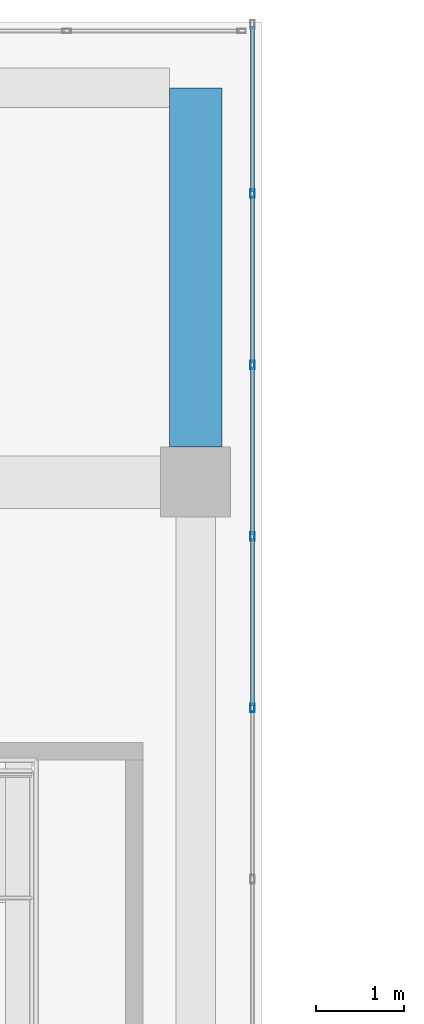
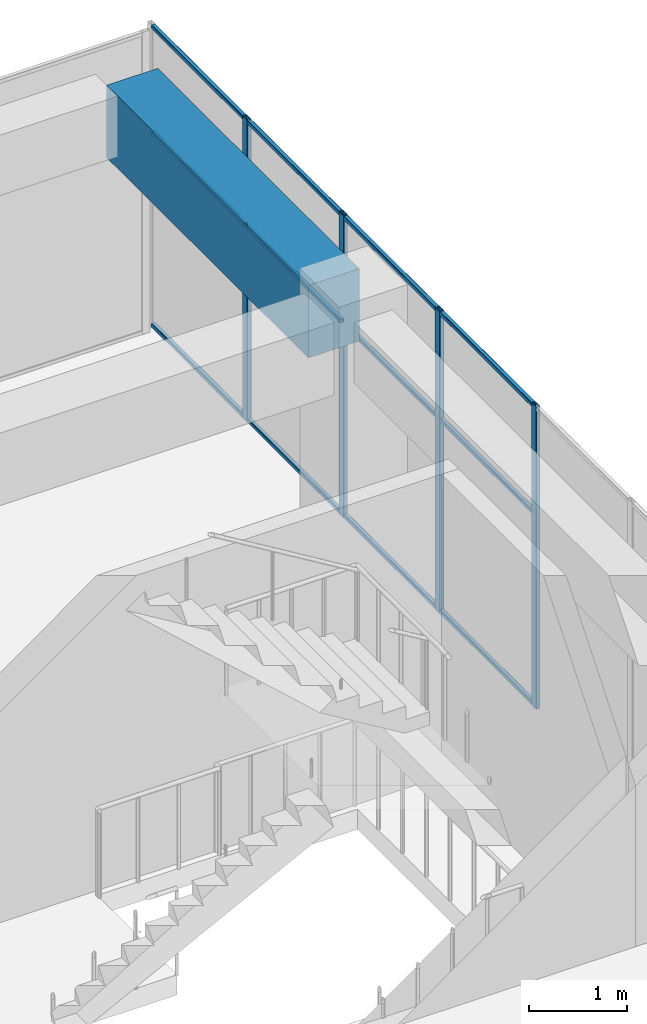
# One storey, part 35 of 55: 16 members, 1 beam, 1 element without a shape of its own.
"""IFC4 building model written with IfcOpenShell, lengths in metres."""

import ifcopenshell
import ifcopenshell.guid

model = None  # the IFC model being written
_history = None  # IfcOwnerHistory: only IFC2X3 demands one
_inside = {}  # id of a spatial element -> (the spatial element, [elements in it])
_under = {}  # id of a project, library or spatial element -> (it, [spatial elements below it])
_declared = {}  # id of a project -> (the project, [libraries it declares])
_typed = {}  # id of a type object -> (the type object, [elements of that type])
_made_of = {}  # id of a material, layer set ... -> (it, [elements and type objects made of it])


def new_model(schema):
    """Start an empty IFC model of exactly this schema.

    Asked for "IFC4X3", IfcOpenShell would pick the latest addendum, in which some entities
    have other attributes; the version numbers below select the first issue.
    IFC2X3 requires an IfcOwnerHistory on every rooted entity: one is made here for all.
    """
    global model, _history
    if schema == "IFC4X3":
        model = ifcopenshell.file(schema_version=(4, 3, 0, 0))
    else:
        model = ifcopenshell.file(schema=schema)
    _inside.clear()
    _under.clear()
    _declared.clear()
    _typed.clear()
    _made_of.clear()
    _history = None
    if model.schema == "IFC2X3":
        org = make("IfcOrganization", Name="unknown")
        user = make(
            "IfcPersonAndOrganization",
            ThePerson=make("IfcPerson", FamilyName="unknown"),
            TheOrganization=org,
        )
        app = make(
            "IfcApplication",
            ApplicationDeveloper=org,
            Version="unknown",
            ApplicationFullName="unknown",
            ApplicationIdentifier="unknown",
        )
        _history = make(
            "IfcOwnerHistory",
            OwningUser=user,
            OwningApplication=app,
            ChangeAction="ADDED",
            CreationDate=0,
        )
    return model


def make(cls, **values):
    """One entity of the class cls with the attributes given. An attribute that is None is left unset."""
    return model.create_entity(
        cls, **{name: value for name, value in values.items() if value is not None}
    )


def rooted(cls, **values):
    """An entity with a GlobalId (a new one), such as an element, a storey or a relation."""
    return make(cls, GlobalId=ifcopenshell.guid.new(), OwnerHistory=_history, **values)


def si_unit(unit_type, name, prefix=None):
    """IfcSIUnit, for example si_unit("LENGTHUNIT", "METRE", prefix="MILLI")."""
    return make("IfcSIUnit", UnitType=unit_type, Prefix=prefix, Name=name)


def assignment(units):
    """IfcUnitAssignment: the units of a project."""
    return None if units is None else make("IfcUnitAssignment", Units=units)


def point(xyz):
    """IfcCartesianPoint."""
    return None if xyz is None else make("IfcCartesianPoint", Coordinates=xyz)


def direction(xyz):
    """IfcDirection."""
    return None if xyz is None else make("IfcDirection", DirectionRatios=xyz)


def frame(location, z_axis=None, x_axis=None):
    """IfcAxis2Placement3D, a coordinate frame: its origin and axes. An axis left out is left unset."""
    return make(
        "IfcAxis2Placement3D",
        Location=point(location),
        Axis=direction(z_axis),
        RefDirection=direction(x_axis),
    )


def frame_2d(location, x_axis=None):
    """IfcAxis2Placement2D, a coordinate frame in the plane: its origin and x axis."""
    return make(
        "IfcAxis2Placement2D", Location=point(location), RefDirection=direction(x_axis)
    )


def origin():
    """The frame at (0, 0, 0) with its axes left unset."""
    return frame((0.0, 0.0, 0.0))


def origin_2d():
    """The frame at (0, 0) in the plane with its x axis left unset."""
    return frame_2d((0.0, 0.0))


def place(relative_to, where):
    """IfcLocalPlacement: puts the frame where relative to a parent placement (None: the world)."""
    return make(
        "IfcLocalPlacement", PlacementRelTo=relative_to, RelativePlacement=where
    )


def context(
    kind, dimensions, precision=None, world=None, true_north=None, identifier=None
):
    """IfcGeometricRepresentationContext, for example the 3D "Model" context."""
    return make(
        "IfcGeometricRepresentationContext",
        ContextIdentifier=identifier,
        ContextType=kind,
        CoordinateSpaceDimension=dimensions,
        Precision=precision,
        WorldCoordinateSystem=world,
        TrueNorth=true_north,
    )


def subcontext(parent, identifier, kind, view, scale=None):
    """IfcGeometricRepresentationSubContext, for example "Body" below "Model"."""
    return make(
        "IfcGeometricRepresentationSubContext",
        ContextIdentifier=identifier,
        ContextType=kind,
        ParentContext=parent,
        TargetScale=scale,
        TargetView=view,
    )


def project(units=None, contexts=None):
    """IfcProject with its units and contexts."""
    return rooted(
        "IfcProject",
        Name="project",
        RepresentationContexts=contexts,
        UnitsInContext=assignment(units),
    )


def spatial(cls, under=None, at=None, **own):
    """A site, building, storey or space (cls), placed at a placement, below another one or the project."""
    s = rooted(cls, ObjectPlacement=at, **own)
    if under is not None:
        _under.setdefault(under.id(), (under, []))[1].append(s)
    return s


def profile(cls, at=None, kind="AREA", **sizes):
    """A parametric profile (cls). Its sizes go by their IFC names, for example OverallWidth=200.0."""
    return make(cls, ProfileType=kind, Position=at, **sizes)


def rectangle(**sizes):
    """IfcRectangleProfileDef."""
    return profile("IfcRectangleProfileDef", **sizes)


def hollow_rectangle(**sizes):
    """IfcRectangleHollowProfileDef."""
    return profile("IfcRectangleHollowProfileDef", **sizes)


def extrude(swept, where, along, depth):
    """IfcExtrudedAreaSolid: the profile swept, set in the frame where, extruded along a direction by depth."""
    return make(
        "IfcExtrudedAreaSolid",
        SweptArea=swept,
        Position=where,
        ExtrudedDirection=direction(along),
        Depth=depth,
    )


def shape(context_of_items, identifier, shape_type, items):
    """IfcShapeRepresentation: the items that make up one representation, for example the "Body"."""
    return make(
        "IfcShapeRepresentation",
        ContextOfItems=context_of_items,
        RepresentationIdentifier=identifier,
        RepresentationType=shape_type,
        Items=items,
    )


def material(Name=None, Category=None):
    """IfcMaterial."""
    return make("IfcMaterial", Name=Name, Category=Category)


def layer(
    of_material, thickness, ventilated=None, Name=None, Category=None, Priority=None
):
    """IfcMaterialLayer: one layer of a wall or slab, of a material (None: an air gap)."""
    return make(
        "IfcMaterialLayer",
        Material=of_material,
        LayerThickness=thickness,
        IsVentilated=ventilated,
        Name=Name,
        Category=Category,
        Priority=Priority,
    )


def layer_set(layers, Name=None):
    """IfcMaterialLayerSet."""
    return make("IfcMaterialLayerSet", MaterialLayers=layers, LayerSetName=Name)


def material_profile(
    of_material, cross_section, Name=None, Category=None, Priority=None
):
    """IfcMaterialProfile: a cross section and its material."""
    return make(
        "IfcMaterialProfile",
        Name=Name,
        Material=of_material,
        Profile=cross_section,
        Priority=Priority,
        Category=Category,
    )


def profile_set(profiles, Name=None, composite=None):
    """IfcMaterialProfileSet."""
    return make(
        "IfcMaterialProfileSet",
        Name=Name,
        MaterialProfiles=profiles,
        CompositeProfile=composite,
    )


def made_of(thing, what):
    """Note that an element or type object is made of a material, layer set ...; save() writes the relation."""
    if what is not None:
        _made_of.setdefault(what.id(), (what, []))[1].append(thing)
    return thing


def type_object(cls, material=None, **own):
    """A type object (cls), such as IfcWallType, which elements share."""
    return made_of(rooted(cls, **own), material)


def element(
    cls,
    number,
    at=None,
    inside=None,
    cuts=None,
    type_object=None,
    material=None,
    context=None,
    identifier="Body",
    shape_type=None,
    held_by="IfcProductDefinitionShape",
    body=None,
    shapes=None,
    **own,
):
    """One element of the class cls, such as IfcWall. Its Tag is "e" and its number.

    at: its placement. inside: the storey or other place that contains it. cuts: it is an
    opening in that element (IfcRelVoidsElement). A single representation is given by context,
    identifier, shape_type and body (its items); several are given by shapes. held_by: the class
    of the entity that holds the representations. save() writes the other relations.
    """
    e = rooted(cls, Tag="e%d" % number, ObjectPlacement=at, **own)
    if body is not None:
        shapes = [shape(context, identifier, shape_type, body)]
    if shapes is not None:
        e.Representation = make(held_by, Representations=shapes)
    if inside is not None:
        _inside.setdefault(inside.id(), (inside, []))[1].append(e)
    if cuts is not None:
        rooted(
            "IfcRelVoidsElement", RelatingBuildingElement=cuts, RelatedOpeningElement=e
        )
    if type_object is not None:
        _typed.setdefault(type_object.id(), (type_object, []))[1].append(e)
    return made_of(e, material)


def aggregate(whole, parts):
    """IfcRelAggregates: a whole, such as a stair, and the parts it consists of."""
    return rooted("IfcRelAggregates", RelatingObject=whole, RelatedObjects=parts)


def save(model, path):
    """Write the relations noted so far, then the file.

    IfcRelAggregates (storeys below a building ...), IfcRelContainedInSpatialStructure (elements
    in a storey), IfcRelDefinesByType, IfcRelAssociatesMaterial and IfcRelDeclares: one each for
    every whole, place, type object, material and project.
    """
    for whole, parts in _under.values():
        aggregate(whole, parts)
    for where, things in _inside.values():
        rooted(
            "IfcRelContainedInSpatialStructure",
            RelatedElements=things,
            RelatingStructure=where,
        )
    for kind, things in _typed.values():
        rooted("IfcRelDefinesByType", RelatedObjects=things, RelatingType=kind)
    for what, things in _made_of.values():
        rooted("IfcRelAssociatesMaterial", RelatedObjects=things, RelatingMaterial=what)
    for by, libraries in _declared.values():
        rooted("IfcRelDeclares", RelatingContext=by, RelatedDefinitions=libraries)
    model.write(path)


model = new_model("IFC4")

# Units and contexts
model_context = context("Model", 3, precision=1e-05, world=origin(), true_north=direction((0.0, 1.0)))
body_context = subcontext(model_context, "Body", "Model", "MODEL_VIEW")
ifc_project = project(units=[si_unit("LENGTHUNIT", "METRE"), si_unit("AREAUNIT", "SQUARE_METRE"), si_unit("VOLUMEUNIT", "CUBIC_METRE"), si_unit("PLANEANGLEUNIT", "RADIAN"), si_unit("MASSUNIT", "GRAM", prefix="KILO")], contexts=[model_context])

# Site, building, storey
site_placement = place(None, origin())
site = spatial("IfcSite", under=ifc_project, at=site_placement, CompositionType="ELEMENT")
building_placement = place(site_placement, origin())
building = spatial("IfcBuilding", under=site, at=building_placement, Name="Tuart Plaza Theatre", CompositionType="ELEMENT")
storey_placement = place(building_placement, frame((0.0, 0.0, 21.5)))
storey = spatial("IfcBuildingStorey", under=building, at=storey_placement, Name="L05", CompositionType="ELEMENT", Elevation=21.5)

# Beam
ifc_material_1 = material(Name="Concrete N40 (40 MPa)", Category="concrete")
ifc_material_profile_1 = material_profile(ifc_material_1, rectangle(XDim=0.60009765625, YDim=0.89990234375, at=origin_2d()), Name="BEAM 600x900 Concrete N40 (40 MPa)")
ifc_profile_set_1 = profile_set([ifc_material_profile_1], Name="Concrete N40 (40 MPa)")
beam_type = type_object("IfcBeamType", Name="BEAM 600x900 Concrete N40 (40 MPa)", PredefinedType="BEAM", material=ifc_profile_set_1)
beam_placement = place(storey_placement, frame((141.0, 92.39990234375, 3.300048828125), z_axis=(0.0, 1.0, 0.0), x_axis=(-1.0, 0.0, 0.0)))
element("IfcBeam", 1, at=beam_placement, inside=storey, type_object=beam_type, Name="RB233", PredefinedType="BEAM", context=body_context, shape_type="SweptSolid", body=[
    extrude(rectangle(XDim=0.60009765625, YDim=0.89990234375, at=origin_2d()), origin(), (0.0, 0.0, 1.0), 4.10009765625),
])

# Curtain wall, members
ifc_material_2 = material(Name="Aluminium and glass", Category="aluminium")
ifc_layer = layer(ifc_material_2, 0.10009765625)
ifc_layer_set = layer_set([ifc_layer], Name="CURTAIN WALL 2000 module")
curtain_wall_type = type_object("IfcCurtainWallType", Name="CURTAIN WALL 2000 module", PredefinedType="NOTDEFINED", material=ifc_layer_set)
curtain_wall_placement = place(storey_placement, origin())
curtain_wall = element("IfcCurtainWall", 2, at=curtain_wall_placement, inside=storey, type_object=curtain_wall_type, Name="CW81", PredefinedType="NOTDEFINED")
ifc_material_3 = material(Name="Aluminium 6063-T5", Category="aluminium")
ifc_material_profile_2 = material_profile(ifc_material_3, hollow_rectangle(XDim=0.050048828125, YDim=0.10009765625, WallThickness=0.00390625, InnerFilletRadius=0.00390625, OuterFilletRadius=0.008056640625, at=origin_2d()), Name="RHS 100x50x4")
ifc_profile_set_2 = profile_set([ifc_material_profile_2], Name="Aluminium 6063-T5")
member_type_1 = type_object("IfcMemberType", Name="MULLION RHS 100x50x4", PredefinedType="MULLION", material=ifc_profile_set_2)
member_1_placement = place(storey_placement, frame((141.64990234375, 89.42138671875, 0.0), z_axis=(0.0, 0.0, 1.0), x_axis=(-1.0, 0.0, 0.0)))
member_1 = element("IfcMember", 3, at=member_1_placement, type_object=member_type_1, Name="CW81 mullion 4", PredefinedType="MULLION", context=body_context, shape_type="SweptSolid", body=[
    extrude(hollow_rectangle(XDim=0.050048828125, YDim=0.10009765625, WallThickness=0.00390625, InnerFilletRadius=0.00390625, OuterFilletRadius=0.008056640625, at=origin_2d()), origin(), (0.0, 0.0, 1.0), 3.75),
])
member_2_placement = place(storey_placement, frame((141.64990234375, 91.378662109375, 0.0), z_axis=(0.0, 0.0, 1.0), x_axis=(-1.0, 0.0, 0.0)))
member_2 = element("IfcMember", 4, at=member_2_placement, type_object=member_type_1, Name="CW81 mullion 5", PredefinedType="MULLION", context=body_context, shape_type="SweptSolid", body=[
    extrude(hollow_rectangle(XDim=0.050048828125, YDim=0.10009765625, WallThickness=0.00390625, InnerFilletRadius=0.00390625, OuterFilletRadius=0.008056640625, at=origin_2d()), origin(), (0.0, 0.0, 1.0), 3.75),
])
member_3_placement = place(storey_placement, frame((141.64990234375, 93.335693359375, 0.0), z_axis=(0.0, 0.0, 1.0), x_axis=(-1.0, 0.0, 0.0)))
member_3 = element("IfcMember", 5, at=member_3_placement, type_object=member_type_1, Name="CW81 mullion 6", PredefinedType="MULLION", context=body_context, shape_type="SweptSolid", body=[
    extrude(hollow_rectangle(XDim=0.050048828125, YDim=0.10009765625, WallThickness=0.00390625, InnerFilletRadius=0.00390625, OuterFilletRadius=0.008056640625, at=origin_2d()), origin(), (0.0, 0.0, 1.0), 3.75),
])
member_4_placement = place(storey_placement, frame((141.64990234375, 95.29296875, 0.0), z_axis=(0.0, 0.0, 1.0), x_axis=(-1.0, 0.0, 0.0)))
member_4 = element("IfcMember", 6, at=member_4_placement, type_object=member_type_1, Name="CW81 mullion 7", PredefinedType="MULLION", context=body_context, shape_type="SweptSolid", body=[
    extrude(hollow_rectangle(XDim=0.050048828125, YDim=0.10009765625, WallThickness=0.00390625, InnerFilletRadius=0.00390625, OuterFilletRadius=0.008056640625, at=origin_2d()), origin(), (0.0, 0.0, 1.0), 3.75),
])
ifc_material_4 = material(Name="Aluminium 6063-T5", Category="aluminium")
ifc_material_profile_3 = material_profile(ifc_material_4, hollow_rectangle(XDim=0.050048828125, YDim=0.050048828125, WallThickness=0.00390625, InnerFilletRadius=0.00390625, OuterFilletRadius=0.008056640625, at=origin_2d()), Name="RHS 50x50x4")
ifc_profile_set_3 = profile_set([ifc_material_profile_3], Name="Aluminium 6063-T5")
member_type_2 = type_object("IfcMemberType", Name="TRANSOM RHS 50x50x4", PredefinedType="USERDEFINED", material=ifc_profile_set_3)
member_5_placement = place(storey_placement, frame((141.64990234375, 89.446533203125, 0.02490234375), z_axis=(0.0, 1.0, 0.0), x_axis=(-1.0, 0.0, 0.0)))
member_5 = element("IfcMember", 7, at=member_5_placement, type_object=member_type_2, Name="CW81 transom 4.1", ObjectType="TRANSOM", PredefinedType="USERDEFINED", context=body_context, shape_type="SweptSolid", body=[
    extrude(hollow_rectangle(XDim=0.050048828125, YDim=0.050048828125, WallThickness=0.00390625, InnerFilletRadius=0.00390625, OuterFilletRadius=0.008056640625, at=origin_2d()), origin(), (0.0, 0.0, 1.0), 1.906982421875),
])
member_6_placement = place(storey_placement, frame((141.64990234375, 89.446533203125, 2.39990234375), z_axis=(0.0, 1.0, 0.0), x_axis=(-1.0, 0.0, 0.0)))
member_6 = element("IfcMember", 8, at=member_6_placement, type_object=member_type_2, Name="CW81 transom 4.2", ObjectType="TRANSOM", PredefinedType="USERDEFINED", context=body_context, shape_type="SweptSolid", body=[
    extrude(hollow_rectangle(XDim=0.050048828125, YDim=0.050048828125, WallThickness=0.00390625, InnerFilletRadius=0.00390625, OuterFilletRadius=0.008056640625, at=origin_2d()), origin(), (0.0, 0.0, 1.0), 1.906982421875),
])
member_7_placement = place(storey_placement, frame((141.64990234375, 89.446533203125, 3.72509765625), z_axis=(0.0, 1.0, 0.0), x_axis=(-1.0, 0.0, 0.0)))
member_7 = element("IfcMember", 9, at=member_7_placement, type_object=member_type_2, Name="CW81 transom 4.3", ObjectType="TRANSOM", PredefinedType="USERDEFINED", context=body_context, shape_type="SweptSolid", body=[
    extrude(hollow_rectangle(XDim=0.050048828125, YDim=0.050048828125, WallThickness=0.00390625, InnerFilletRadius=0.00390625, OuterFilletRadius=0.008056640625, at=origin_2d()), origin(), (0.0, 0.0, 1.0), 1.906982421875),
])
member_8_placement = place(storey_placement, frame((141.64990234375, 91.403564453125, 0.02490234375), z_axis=(0.0, 1.0, 0.0), x_axis=(-1.0, 0.0, 0.0)))
member_8 = element("IfcMember", 10, at=member_8_placement, type_object=member_type_2, Name="CW81 transom 5.1", ObjectType="TRANSOM", PredefinedType="USERDEFINED", context=body_context, shape_type="SweptSolid", body=[
    extrude(hollow_rectangle(XDim=0.050048828125, YDim=0.050048828125, WallThickness=0.00390625, InnerFilletRadius=0.00390625, OuterFilletRadius=0.008056640625, at=origin_2d()), origin(), (0.0, 0.0, 1.0), 1.9072265625),
])
member_9_placement = place(storey_placement, frame((141.64990234375, 91.403564453125, 2.39990234375), z_axis=(0.0, 1.0, 0.0), x_axis=(-1.0, 0.0, 0.0)))
member_9 = element("IfcMember", 11, at=member_9_placement, type_object=member_type_2, Name="CW81 transom 5.2", ObjectType="TRANSOM", PredefinedType="USERDEFINED", context=body_context, shape_type="SweptSolid", body=[
    extrude(hollow_rectangle(XDim=0.050048828125, YDim=0.050048828125, WallThickness=0.00390625, InnerFilletRadius=0.00390625, OuterFilletRadius=0.008056640625, at=origin_2d()), origin(), (0.0, 0.0, 1.0), 1.9072265625),
])
member_10_placement = place(storey_placement, frame((141.64990234375, 91.403564453125, 3.72509765625), z_axis=(0.0, 1.0, 0.0), x_axis=(-1.0, 0.0, 0.0)))
member_10 = element("IfcMember", 12, at=member_10_placement, type_object=member_type_2, Name="CW81 transom 5.3", ObjectType="TRANSOM", PredefinedType="USERDEFINED", context=body_context, shape_type="SweptSolid", body=[
    extrude(hollow_rectangle(XDim=0.050048828125, YDim=0.050048828125, WallThickness=0.00390625, InnerFilletRadius=0.00390625, OuterFilletRadius=0.008056640625, at=origin_2d()), origin(), (0.0, 0.0, 1.0), 1.9072265625),
])
member_11_placement = place(storey_placement, frame((141.64990234375, 93.360595703125, 0.02490234375), z_axis=(0.0, 1.0, 0.0), x_axis=(-1.0, 0.0, 0.0)))
member_11 = element("IfcMember", 13, at=member_11_placement, type_object=member_type_2, Name="CW81 transom 6.1", ObjectType="TRANSOM", PredefinedType="USERDEFINED", context=body_context, shape_type="SweptSolid", body=[
    extrude(hollow_rectangle(XDim=0.050048828125, YDim=0.050048828125, WallThickness=0.00390625, InnerFilletRadius=0.00390625, OuterFilletRadius=0.008056640625, at=origin_2d()), origin(), (0.0, 0.0, 1.0), 1.9072265625),
])
member_12_placement = place(storey_placement, frame((141.64990234375, 93.360595703125, 2.39990234375), z_axis=(0.0, 1.0, 0.0), x_axis=(-1.0, 0.0, 0.0)))
member_12 = element("IfcMember", 14, at=member_12_placement, type_object=member_type_2, Name="CW81 transom 6.2", ObjectType="TRANSOM", PredefinedType="USERDEFINED", context=body_context, shape_type="SweptSolid", body=[
    extrude(hollow_rectangle(XDim=0.050048828125, YDim=0.050048828125, WallThickness=0.00390625, InnerFilletRadius=0.00390625, OuterFilletRadius=0.008056640625, at=origin_2d()), origin(), (0.0, 0.0, 1.0), 1.9072265625),
])
member_13_placement = place(storey_placement, frame((141.64990234375, 93.360595703125, 3.72509765625), z_axis=(0.0, 1.0, 0.0), x_axis=(-1.0, 0.0, 0.0)))
member_13 = element("IfcMember", 15, at=member_13_placement, type_object=member_type_2, Name="CW81 transom 6.3", ObjectType="TRANSOM", PredefinedType="USERDEFINED", context=body_context, shape_type="SweptSolid", body=[
    extrude(hollow_rectangle(XDim=0.050048828125, YDim=0.050048828125, WallThickness=0.00390625, InnerFilletRadius=0.00390625, OuterFilletRadius=0.008056640625, at=origin_2d()), origin(), (0.0, 0.0, 1.0), 1.9072265625),
])
member_14_placement = place(storey_placement, frame((141.64990234375, 95.31787109375, 0.02490234375), z_axis=(0.0, 1.0, 0.0), x_axis=(-1.0, 0.0, 0.0)))
member_14 = element("IfcMember", 16, at=member_14_placement, type_object=member_type_2, Name="CW81 transom 7.1", ObjectType="TRANSOM", PredefinedType="USERDEFINED", context=body_context, shape_type="SweptSolid", body=[
    extrude(hollow_rectangle(XDim=0.050048828125, YDim=0.050048828125, WallThickness=0.00390625, InnerFilletRadius=0.00390625, OuterFilletRadius=0.008056640625, at=origin_2d()), origin(), (0.0, 0.0, 1.0), 1.882080078125),
])
member_15_placement = place(storey_placement, frame((141.64990234375, 95.31787109375, 2.39990234375), z_axis=(0.0, 1.0, 0.0), x_axis=(-1.0, 0.0, 0.0)))
member_15 = element("IfcMember", 17, at=member_15_placement, type_object=member_type_2, Name="CW81 transom 7.2", ObjectType="TRANSOM", PredefinedType="USERDEFINED", context=body_context, shape_type="SweptSolid", body=[
    extrude(hollow_rectangle(XDim=0.050048828125, YDim=0.050048828125, WallThickness=0.00390625, InnerFilletRadius=0.00390625, OuterFilletRadius=0.008056640625, at=origin_2d()), origin(), (0.0, 0.0, 1.0), 1.882080078125),
])
member_16_placement = place(storey_placement, frame((141.64990234375, 95.31787109375, 3.72509765625), z_axis=(0.0, 1.0, 0.0), x_axis=(-1.0, 0.0, 0.0)))
member_16 = element("IfcMember", 18, at=member_16_placement, type_object=member_type_2, Name="CW81 transom 7.3", ObjectType="TRANSOM", PredefinedType="USERDEFINED", context=body_context, shape_type="SweptSolid", body=[
    extrude(hollow_rectangle(XDim=0.050048828125, YDim=0.050048828125, WallThickness=0.00390625, InnerFilletRadius=0.00390625, OuterFilletRadius=0.008056640625, at=origin_2d()), origin(), (0.0, 0.0, 1.0), 1.882080078125),
])
aggregate(curtain_wall, [member_1, member_2, member_3, member_4, member_5, member_6, member_7, member_8, member_9, member_10, member_11, member_12, member_13, member_14, member_15, member_16])

save(model, "model.ifc")
